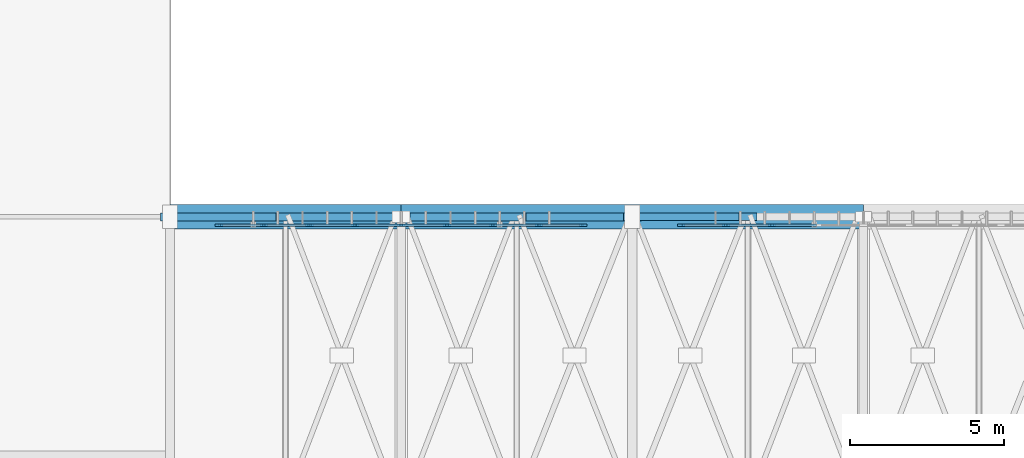
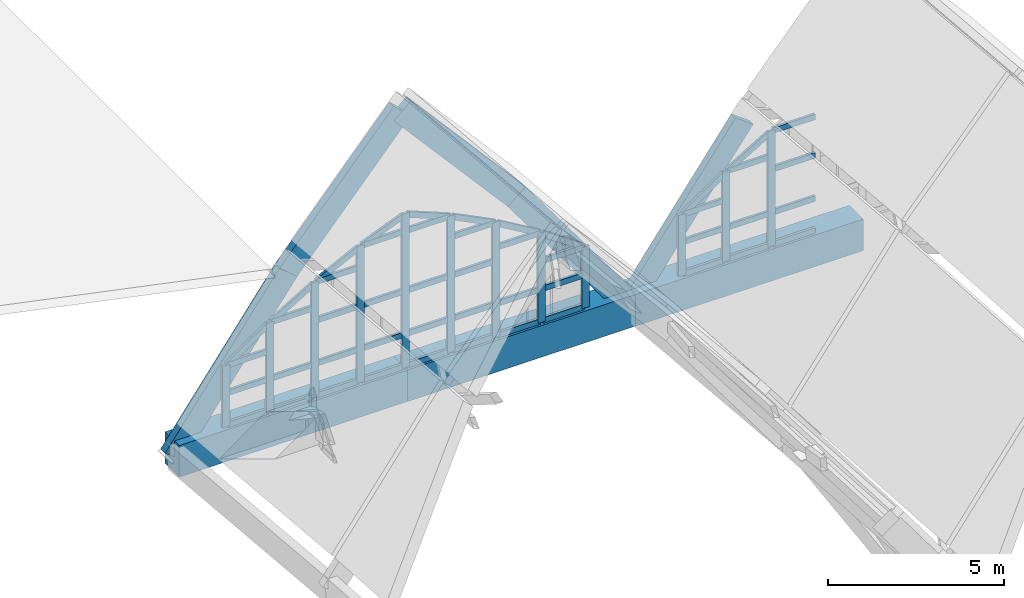
# One storey, part 42 of 93: 60 members, 8 beams, 2 elements without a shape of their own.
"""IFC4 building model written with IfcOpenShell, lengths in metres."""

from ifc_helpers import new_model, si_unit, direction, frame, origin, origin_2d, place, context, subcontext, project, spatial, rectangle, extrude, material, material_profile, profile_set, type_object, element, aggregate, save


model = new_model("IFC4")

# Units and contexts
model_context = context("Model", 3, precision=1e-05, world=origin(), true_north=direction((0.0, 1.0)))
body_context = subcontext(model_context, "Body", "Model", "MODEL_VIEW")
ifc_project = project(units=[si_unit("LENGTHUNIT", "METRE"), si_unit("AREAUNIT", "SQUARE_METRE"), si_unit("VOLUMEUNIT", "CUBIC_METRE"), si_unit("PLANEANGLEUNIT", "RADIAN"), si_unit("MASSUNIT", "GRAM", prefix="KILO")], contexts=[model_context])

# Site, building, storey
site_placement = place(None, origin())
site = spatial("IfcSite", under=ifc_project, at=site_placement, CompositionType="ELEMENT")
building_placement = place(site_placement, origin())
building = spatial("IfcBuilding", under=site, at=building_placement, Name="Vourika Railside Aquatics Centre", CompositionType="ELEMENT")
storey_placement = place(building_placement, frame((0.0, 0.0, 21.89990234375)))
storey = spatial("IfcBuildingStorey", under=building, at=storey_placement, Name="Roof", CompositionType="ELEMENT", Elevation=21.89990234375)

# Beams
ifc_material_1 = material(Name="Glulam GL32h", Category="wood")
ifc_material_profile_1 = material_profile(ifc_material_1, rectangle(XDim=0.239990234375, YDim=0.719970703125, at=origin_2d()), Name="GL32h 240x720")
ifc_profile_set_1 = profile_set([ifc_material_profile_1], Name="Glulam GL32h")
beam_type_1 = type_object("IfcBeamType", Name="BM-GL-ARCH-240x720", PredefinedType="BEAM", material=ifc_profile_set_1)
beam_1_placement = place(storey_placement, frame((51.0, 66.0, -11.699951171875), z_axis=(0.592383087934, 0.0, 0.805656426233), x_axis=(0.0, 1.0, 0.0)))
element("IfcBeam", 1, at=beam_1_placement, inside=storey, type_object=beam_type_1, Name="Pointed Glulam Vault Arch Rib GAR-0059", PredefinedType="BEAM", context=body_context, shape_type="SweptSolid", body=[
    extrude(rectangle(XDim=0.239990234375, YDim=0.719970703125, at=origin_2d()), origin(), (0.0, 0.0, 1.0), 6.330322265625),
])
ifc_material_profile_2 = material_profile(ifc_material_1, rectangle(XDim=0.260009765625, YDim=0.760009765625, at=origin_2d()), Name="GL32h 260x760")
ifc_profile_set_2 = profile_set([ifc_material_profile_2], Name="Glulam GL32h")
beam_type_2 = type_object("IfcBeamType", Name="BM-GL-ARCH-260x760", PredefinedType="BEAM", material=ifc_profile_set_2)
beam_2_placement = place(storey_placement, frame((36.0, 66.0, -11.699951171875), z_axis=(0.592383087934, 0.0, 0.805656426233), x_axis=(0.0, 1.0, 0.0)))
element("IfcBeam", 2, at=beam_2_placement, inside=storey, type_object=beam_type_2, Name="Pointed Glulam Vault Arch Rib GAR-0025", PredefinedType="BEAM", context=body_context, shape_type="SweptSolid", body=[
    extrude(rectangle(XDim=0.260009765625, YDim=0.760009765625, at=origin_2d()), origin(), (0.0, 0.0, 1.0), 6.330322265625),
])
for number, where, z_axis, x_axis, name in (
    (3, (39.75, 66.0, -6.599853515625), (0.657258623263, 0.0, 0.75366511273), (0.0, 1.0, 0.0), "Pointed Glulam Vault Arch Rib GAR-0026"),
    (4, (43.5, 66.0, -2.2998046875), (0.657258623263, 0.0, -0.75366511273), (0.0, 1.0, 0.0), "Pointed Glulam Vault Arch Rib GAR-0027"),
):
    element("IfcBeam", number, at=place(storey_placement, frame(where, z_axis=z_axis, x_axis=x_axis)), inside=storey, type_object=beam_type_2, Name=name, PredefinedType="BEAM", context=body_context, shape_type="SweptSolid", body=[
        extrude(rectangle(XDim=0.260009765625, YDim=0.760009765625, at=origin_2d()), origin(), (0.0, 0.0, 1.0), 5.70556640625),
    ])
beam_3_placement = place(storey_placement, frame((47.25, 66.0, -6.599853515625), z_axis=(0.592383087934, 0.0, -0.805656426233), x_axis=(0.0, 1.0, 0.0)))
element("IfcBeam", 5, at=beam_3_placement, inside=storey, type_object=beam_type_2, Name="Pointed Glulam Vault Arch Rib GAR-0028", PredefinedType="BEAM", context=body_context, shape_type="SweptSolid", body=[
    extrude(rectangle(XDim=0.260009765625, YDim=0.760009765625, at=origin_2d()), origin(), (0.0, 0.0, 1.0), 6.330322265625),
])
ifc_material_2 = material(Name="Concrete C40/50", Category="concrete")
ifc_material_profile_3 = material_profile(ifc_material_2, rectangle(XDim=0.800048828125, YDim=1.10009765625, at=origin_2d()), Name="RC 800x1100")
ifc_profile_set_3 = profile_set([ifc_material_profile_3], Name="Concrete C40/50")
beam_type_3 = type_object("IfcBeamType", Name="BM-RING-800x1100", PredefinedType="BEAM", material=ifc_profile_set_3)
for number, where, z_axis, x_axis, name in (
    (6, (36.0, 66.0, -11.699951171875), (1.0, 0.0, 0.0), (0.0, 1.0, 0.0), "Vault Springing Ring Beam N (36.0-43.5)"),
    (7, (43.5, 66.0, -11.699951171875), (1.0, 0.0, 0.0), (0.0, 1.0, 0.0), "Vault Springing Ring Beam N (43.5-51.0)"),
    (8, (51.0, 66.0, -11.699951171875), (1.0, 0.0, 0.0), (0.0, 1.0, 0.0), "Vault Springing Ring Beam N (51.0-58.5)"),
):
    element("IfcBeam", number, at=place(storey_placement, frame(where, z_axis=z_axis, x_axis=x_axis)), inside=storey, type_object=beam_type_3, Name=name, PredefinedType="BEAM", context=body_context, shape_type="SweptSolid", body=[
        extrude(rectangle(XDim=0.800048828125, YDim=1.10009765625, at=origin_2d()), origin(), (0.0, 0.0, 1.0), 7.5),
    ])

# Curtain wall, members
ifc_material_3 = material(Name="Anodized thermally broken aluminium", Category="aluminium")
curtain_wall_type = type_object("IfcCurtainWallType", Name="CW-VLTN1", PredefinedType="NOTDEFINED", material=ifc_material_3)
curtain_wall_1_placement = place(storey_placement, origin())
curtain_wall_1 = element("IfcCurtainWall", 9, at=curtain_wall_1_placement, inside=storey, type_object=curtain_wall_type, Name="North Courtyard Pointed-Arch Curtain Wall Bay 1", PredefinedType="NOTDEFINED")
ifc_material_4 = material(Name="Anodized aluminium mullion", Category="aluminium")
ifc_material_profile_4 = material_profile(ifc_material_4, rectangle(XDim=0.0849609375, YDim=0.25, at=origin_2d()), Name="ALU-M 85x250")
ifc_profile_set_4 = profile_set([ifc_material_profile_4], Name="Anodized aluminium mullion")
member_type_1 = type_object("IfcMemberType", Name="CWM-VLTN1", PredefinedType="MULLION", material=ifc_profile_set_4)
member_1_placement = place(storey_placement, frame((49.407470703125, 65.719970703125, -11.099853515625), z_axis=(0.0, 0.0, 1.0), x_axis=(0.0, -1.0, 0.0)))
member_1 = element("IfcMember", 10, at=member_1_placement, type_object=member_type_1, Name="CW01 arch mullion 1", PredefinedType="MULLION", context=body_context, shape_type="SweptSolid", body=[
    extrude(rectangle(XDim=0.0849609375, YDim=0.25, at=origin_2d()), origin(), (0.0, 0.0, 1.0), 2.130859375),
])
member_2_placement = place(storey_placement, frame((47.96240234375, 65.719970703125, -11.099853515625), z_axis=(0.0, 0.0, 1.0), x_axis=(0.0, -1.0, 0.0)))
member_2 = element("IfcMember", 11, at=member_2_placement, type_object=member_type_1, Name="CW01 arch mullion 2", PredefinedType="MULLION", context=body_context, shape_type="SweptSolid", body=[
    extrude(rectangle(XDim=0.0849609375, YDim=0.25, at=origin_2d()), origin(), (0.0, 0.0, 1.0), 3.1259765625),
])
member_3_placement = place(storey_placement, frame((46.47509765625, 65.719970703125, -11.099853515625), z_axis=(0.0, 0.0, 1.0), x_axis=(0.0, -1.0, 0.0)))
member_3 = element("IfcMember", 12, at=member_3_placement, type_object=member_type_1, Name="CW01 arch mullion 3", PredefinedType="MULLION", context=body_context, shape_type="SweptSolid", body=[
    extrude(rectangle(XDim=0.0849609375, YDim=0.25, at=origin_2d()), origin(), (0.0, 0.0, 1.0), 4.009033203125),
])
member_4_placement = place(storey_placement, frame((44.987548828125, 65.719970703125, -11.099853515625), z_axis=(0.0, 0.0, 1.0), x_axis=(0.0, -1.0, 0.0)))
member_4 = element("IfcMember", 13, at=member_4_placement, type_object=member_type_1, Name="CW01 arch mullion 4", PredefinedType="MULLION", context=body_context, shape_type="SweptSolid", body=[
    extrude(rectangle(XDim=0.0849609375, YDim=0.25, at=origin_2d()), origin(), (0.0, 0.0, 1.0), 4.7509765625),
])
member_5_placement = place(storey_placement, frame((43.5, 65.719970703125, -11.099853515625), z_axis=(0.0, 0.0, 1.0), x_axis=(0.0, -1.0, 0.0)))
member_5 = element("IfcMember", 14, at=member_5_placement, type_object=member_type_1, Name="CW01 arch mullion 5", PredefinedType="MULLION", context=body_context, shape_type="SweptSolid", body=[
    extrude(rectangle(XDim=0.0849609375, YDim=0.25, at=origin_2d()), origin(), (0.0, 0.0, 1.0), 5.349853515625),
])
member_6_placement = place(storey_placement, frame((42.012451171875, 65.719970703125, -11.099853515625), z_axis=(0.0, 0.0, 1.0), x_axis=(0.0, -1.0, 0.0)))
member_6 = element("IfcMember", 15, at=member_6_placement, type_object=member_type_1, Name="CW01 arch mullion 6", PredefinedType="MULLION", context=body_context, shape_type="SweptSolid", body=[
    extrude(rectangle(XDim=0.0849609375, YDim=0.25, at=origin_2d()), origin(), (0.0, 0.0, 1.0), 4.7509765625),
])
member_7_placement = place(storey_placement, frame((40.52490234375, 65.719970703125, -11.099853515625), z_axis=(0.0, 0.0, 1.0), x_axis=(0.0, -1.0, 0.0)))
member_7 = element("IfcMember", 16, at=member_7_placement, type_object=member_type_1, Name="CW01 arch mullion 7", PredefinedType="MULLION", context=body_context, shape_type="SweptSolid", body=[
    extrude(rectangle(XDim=0.0849609375, YDim=0.25, at=origin_2d()), origin(), (0.0, 0.0, 1.0), 4.009033203125),
])
member_8_placement = place(storey_placement, frame((39.03759765625, 65.719970703125, -11.099853515625), z_axis=(0.0, 0.0, 1.0), x_axis=(0.0, -1.0, 0.0)))
member_8 = element("IfcMember", 17, at=member_8_placement, type_object=member_type_1, Name="CW01 arch mullion 8", PredefinedType="MULLION", context=body_context, shape_type="SweptSolid", body=[
    extrude(rectangle(XDim=0.0849609375, YDim=0.25, at=origin_2d()), origin(), (0.0, 0.0, 1.0), 3.1259765625),
])
member_9_placement = place(storey_placement, frame((37.592529296875, 65.719970703125, -11.099853515625), z_axis=(0.0, 0.0, 1.0), x_axis=(0.0, -1.0, 0.0)))
member_9 = element("IfcMember", 18, at=member_9_placement, type_object=member_type_1, Name="CW01 arch mullion 9", PredefinedType="MULLION", context=body_context, shape_type="SweptSolid", body=[
    extrude(rectangle(XDim=0.0849609375, YDim=0.25, at=origin_2d()), origin(), (0.0, 0.0, 1.0), 2.130859375),
])

curtain_wall_2_placement = place(storey_placement, origin())
curtain_wall_2 = element("IfcCurtainWall", 19, at=curtain_wall_2_placement, inside=storey, type_object=curtain_wall_type, Name="North Courtyard Pointed-Arch Curtain Wall Bay 2", PredefinedType="NOTDEFINED")
member_10_placement = place(storey_placement, frame((55.52490234375, 65.719970703125, -11.099853515625), z_axis=(0.0, 0.0, 1.0), x_axis=(0.0, -1.0, 0.0)))
member_10 = element("IfcMember", 20, at=member_10_placement, type_object=member_type_1, Name="CW01 arch mullion 7", PredefinedType="MULLION", context=body_context, shape_type="SweptSolid", body=[
    extrude(rectangle(XDim=0.0849609375, YDim=0.25, at=origin_2d()), origin(), (0.0, 0.0, 1.0), 4.009033203125),
])
member_11_placement = place(storey_placement, frame((54.03759765625, 65.719970703125, -11.099853515625), z_axis=(0.0, 0.0, 1.0), x_axis=(0.0, -1.0, 0.0)))
member_11 = element("IfcMember", 21, at=member_11_placement, type_object=member_type_1, Name="CW01 arch mullion 8", PredefinedType="MULLION", context=body_context, shape_type="SweptSolid", body=[
    extrude(rectangle(XDim=0.0849609375, YDim=0.25, at=origin_2d()), origin(), (0.0, 0.0, 1.0), 3.1259765625),
])
member_12_placement = place(storey_placement, frame((52.592529296875, 65.719970703125, -11.099853515625), z_axis=(0.0, 0.0, 1.0), x_axis=(0.0, -1.0, 0.0)))
member_12 = element("IfcMember", 22, at=member_12_placement, type_object=member_type_1, Name="CW01 arch mullion 9", PredefinedType="MULLION", context=body_context, shape_type="SweptSolid", body=[
    extrude(rectangle(XDim=0.0849609375, YDim=0.25, at=origin_2d()), origin(), (0.0, 0.0, 1.0), 2.130859375),
])

# Member
ifc_material_5 = material(Name="Anodized aluminium transom", Category="aluminium")
ifc_material_profile_5 = material_profile(ifc_material_5, rectangle(XDim=0.0849609375, YDim=0.195068359375, at=origin_2d()), Name="ALU-T 85x195")
ifc_profile_set_5 = profile_set([ifc_material_profile_5], Name="Anodized aluminium transom")
member_type_2 = type_object("IfcMemberType", Name="CWT-VLTN1", PredefinedType="USERDEFINED", material=ifc_profile_set_5)
member_13_placement = place(storey_placement, frame((49.364990234375, 65.719970703125, -11.057373046875), z_axis=(-1.0, 0.0, 0.0), x_axis=(0.0, -1.0, 0.0)))
member_13 = element("IfcMember", 23, at=member_13_placement, type_object=member_type_2, Name="CW01 transom 1.1", ObjectType="TRANSOM", PredefinedType="USERDEFINED", context=body_context, shape_type="SweptSolid", body=[
    extrude(rectangle(XDim=0.0849609375, YDim=0.195068359375, at=origin_2d()), origin(), (0.0, 0.0, 1.0), 1.360107421875),
])

member_14_placement = place(storey_placement, frame((49.364990234375, 65.719970703125, -9.949951171875), z_axis=(-1.0, 0.0, 0.0), x_axis=(0.0, -1.0, 0.0)))
member_14 = element("IfcMember", 24, at=member_14_placement, type_object=member_type_2, Name="CW01 transom 1.2", ObjectType="TRANSOM", PredefinedType="USERDEFINED", context=body_context, shape_type="SweptSolid", body=[
    extrude(rectangle(XDim=0.0849609375, YDim=0.195068359375, at=origin_2d()), origin(), (0.0, 0.0, 1.0), 1.360107421875),
])

member_15_placement = place(storey_placement, frame((49.364990234375, 65.719970703125, -8.98046875), z_axis=(-1.0, 0.0, 0.0), x_axis=(0.0, -1.0, 0.0)))
member_15 = element("IfcMember", 25, at=member_15_placement, type_object=member_type_2, Name="CW01 transom 1.3", ObjectType="TRANSOM", PredefinedType="USERDEFINED", context=body_context, shape_type="SweptSolid", body=[
    extrude(rectangle(XDim=0.0849609375, YDim=0.195068359375, at=origin_2d()), origin(), (0.0, 0.0, 1.0), 1.360107421875),
])

member_16_placement = place(storey_placement, frame((49.364990234375, 65.719970703125, -8.98046875), z_axis=(-0.823770019809, 0.0, 0.566924117025), x_axis=(0.0, -1.0, 0.0)))
member_16 = element("IfcMember", 26, at=member_16_placement, type_object=member_type_2, Name="CW01 arch chord transom 1", ObjectType="TRANSOM", PredefinedType="USERDEFINED", context=body_context, shape_type="SweptSolid", body=[
    extrude(rectangle(XDim=0.0849609375, YDim=0.195068359375, at=origin_2d()), origin(), (0.0, 0.0, 1.0), 1.651123046875),
])

member_17_placement = place(storey_placement, frame((47.919921875, 65.719970703125, -11.057373046875), z_axis=(-1.0, 0.0, 0.0), x_axis=(0.0, -1.0, 0.0)))
member_17 = element("IfcMember", 27, at=member_17_placement, type_object=member_type_2, Name="CW01 transom 2.1", ObjectType="TRANSOM", PredefinedType="USERDEFINED", context=body_context, shape_type="SweptSolid", body=[
    extrude(rectangle(XDim=0.0849609375, YDim=0.195068359375, at=origin_2d()), origin(), (0.0, 0.0, 1.0), 1.40234375),
])

member_18_placement = place(storey_placement, frame((47.919921875, 65.719970703125, -9.949951171875), z_axis=(-1.0, 0.0, 0.0), x_axis=(0.0, -1.0, 0.0)))
member_18 = element("IfcMember", 28, at=member_18_placement, type_object=member_type_2, Name="CW01 transom 2.2", ObjectType="TRANSOM", PredefinedType="USERDEFINED", context=body_context, shape_type="SweptSolid", body=[
    extrude(rectangle(XDim=0.0849609375, YDim=0.195068359375, at=origin_2d()), origin(), (0.0, 0.0, 1.0), 1.40234375),
])

member_19_placement = place(storey_placement, frame((47.919921875, 65.719970703125, -7.989501953125), z_axis=(-1.0, 0.0, 0.0), x_axis=(0.0, -1.0, 0.0)))
member_19 = element("IfcMember", 29, at=member_19_placement, type_object=member_type_2, Name="CW01 transom 2.3", ObjectType="TRANSOM", PredefinedType="USERDEFINED", context=body_context, shape_type="SweptSolid", body=[
    extrude(rectangle(XDim=0.0849609375, YDim=0.195068359375, at=origin_2d()), origin(), (0.0, 0.0, 1.0), 1.40234375),
])

member_20_placement = place(storey_placement, frame((47.919921875, 65.719970703125, -7.989501953125), z_axis=(-0.859756166629, 0.0, 0.510704742433), x_axis=(0.0, -1.0, 0.0)))
member_20 = element("IfcMember", 30, at=member_20_placement, type_object=member_type_2, Name="CW01 arch chord transom 2", ObjectType="TRANSOM", PredefinedType="USERDEFINED", context=body_context, shape_type="SweptSolid", body=[
    extrude(rectangle(XDim=0.0849609375, YDim=0.195068359375, at=origin_2d()), origin(), (0.0, 0.0, 1.0), 1.631103515625),
])

member_21_placement = place(storey_placement, frame((46.4326171875, 65.719970703125, -11.057373046875), z_axis=(-1.0, 0.0, 0.0), x_axis=(0.0, -1.0, 0.0)))
member_21 = element("IfcMember", 31, at=member_21_placement, type_object=member_type_2, Name="CW01 transom 3.1", ObjectType="TRANSOM", PredefinedType="USERDEFINED", context=body_context, shape_type="SweptSolid", body=[
    extrude(rectangle(XDim=0.0849609375, YDim=0.195068359375, at=origin_2d()), origin(), (0.0, 0.0, 1.0), 1.402587890625),
])

member_22_placement = place(storey_placement, frame((46.4326171875, 65.719970703125, -9.949951171875), z_axis=(-1.0, 0.0, 0.0), x_axis=(0.0, -1.0, 0.0)))
member_22 = element("IfcMember", 32, at=member_22_placement, type_object=member_type_2, Name="CW01 transom 3.2", ObjectType="TRANSOM", PredefinedType="USERDEFINED", context=body_context, shape_type="SweptSolid", body=[
    extrude(rectangle(XDim=0.0849609375, YDim=0.195068359375, at=origin_2d()), origin(), (0.0, 0.0, 1.0), 1.402587890625),
])

member_23_placement = place(storey_placement, frame((46.4326171875, 65.719970703125, -8.449951171875), z_axis=(-1.0, 0.0, 0.0), x_axis=(0.0, -1.0, 0.0)))
member_23 = element("IfcMember", 33, at=member_23_placement, type_object=member_type_2, Name="CW01 transom 3.3", ObjectType="TRANSOM", PredefinedType="USERDEFINED", context=body_context, shape_type="SweptSolid", body=[
    extrude(rectangle(XDim=0.0849609375, YDim=0.195068359375, at=origin_2d()), origin(), (0.0, 0.0, 1.0), 1.402587890625),
])

member_24_placement = place(storey_placement, frame((46.4326171875, 65.719970703125, -7.109375), z_axis=(-1.0, 0.0, 0.0), x_axis=(0.0, -1.0, 0.0)))
member_24 = element("IfcMember", 34, at=member_24_placement, type_object=member_type_2, Name="CW01 transom 3.4", ObjectType="TRANSOM", PredefinedType="USERDEFINED", context=body_context, shape_type="SweptSolid", body=[
    extrude(rectangle(XDim=0.0849609375, YDim=0.195068359375, at=origin_2d()), origin(), (0.0, 0.0, 1.0), 1.402587890625),
])

member_25_placement = place(storey_placement, frame((46.4326171875, 65.719970703125, -7.109375), z_axis=(-0.895018412541, 0.0, 0.44602919323), x_axis=(0.0, -1.0, 0.0)))
member_25 = element("IfcMember", 35, at=member_25_placement, type_object=member_type_2, Name="CW01 arch chord transom 3", ObjectType="TRANSOM", PredefinedType="USERDEFINED", context=body_context, shape_type="SweptSolid", body=[
    extrude(rectangle(XDim=0.0849609375, YDim=0.195068359375, at=origin_2d()), origin(), (0.0, 0.0, 1.0), 1.567138671875),
])

member_26_placement = place(storey_placement, frame((44.945068359375, 65.719970703125, -11.057373046875), z_axis=(-1.0, 0.0, 0.0), x_axis=(0.0, -1.0, 0.0)))
member_26 = element("IfcMember", 36, at=member_26_placement, type_object=member_type_2, Name="CW01 transom 4.1", ObjectType="TRANSOM", PredefinedType="USERDEFINED", context=body_context, shape_type="SweptSolid", body=[
    extrude(rectangle(XDim=0.0849609375, YDim=0.195068359375, at=origin_2d()), origin(), (0.0, 0.0, 1.0), 1.402587890625),
])

member_27_placement = place(storey_placement, frame((44.945068359375, 65.719970703125, -9.949951171875), z_axis=(-1.0, 0.0, 0.0), x_axis=(0.0, -1.0, 0.0)))
member_27 = element("IfcMember", 37, at=member_27_placement, type_object=member_type_2, Name="CW01 transom 4.2", ObjectType="TRANSOM", PredefinedType="USERDEFINED", context=body_context, shape_type="SweptSolid", body=[
    extrude(rectangle(XDim=0.0849609375, YDim=0.195068359375, at=origin_2d()), origin(), (0.0, 0.0, 1.0), 1.402587890625),
])

member_28_placement = place(storey_placement, frame((44.945068359375, 65.719970703125, -8.449951171875), z_axis=(-1.0, 0.0, 0.0), x_axis=(0.0, -1.0, 0.0)))
member_28 = element("IfcMember", 38, at=member_28_placement, type_object=member_type_2, Name="CW01 transom 4.3", ObjectType="TRANSOM", PredefinedType="USERDEFINED", context=body_context, shape_type="SweptSolid", body=[
    extrude(rectangle(XDim=0.0849609375, YDim=0.195068359375, at=origin_2d()), origin(), (0.0, 0.0, 1.0), 1.402587890625),
])

member_29_placement = place(storey_placement, frame((44.945068359375, 65.719970703125, -6.372314453125), z_axis=(-1.0, 0.0, 0.0), x_axis=(0.0, -1.0, 0.0)))
member_29 = element("IfcMember", 39, at=member_29_placement, type_object=member_type_2, Name="CW01 transom 4.4", ObjectType="TRANSOM", PredefinedType="USERDEFINED", context=body_context, shape_type="SweptSolid", body=[
    extrude(rectangle(XDim=0.0849609375, YDim=0.195068359375, at=origin_2d()), origin(), (0.0, 0.0, 1.0), 1.402587890625),
])

member_30_placement = place(storey_placement, frame((44.945068359375, 65.719970703125, -6.372314453125), z_axis=(-0.927583210555, 0.0, 0.373616631719), x_axis=(0.0, -1.0, 0.0)))
member_30 = element("IfcMember", 40, at=member_30_placement, type_object=member_type_2, Name="CW01 arch chord transom 4", ObjectType="TRANSOM", PredefinedType="USERDEFINED", context=body_context, shape_type="SweptSolid", body=[
    extrude(rectangle(XDim=0.0849609375, YDim=0.195068359375, at=origin_2d()), origin(), (0.0, 0.0, 1.0), 1.51220703125),
])

member_31_placement = place(storey_placement, frame((43.45751953125, 65.719970703125, -11.057373046875), z_axis=(-1.0, 0.0, 0.0), x_axis=(0.0, -1.0, 0.0)))
member_31 = element("IfcMember", 41, at=member_31_placement, type_object=member_type_2, Name="CW01 transom 5.1", ObjectType="TRANSOM", PredefinedType="USERDEFINED", context=body_context, shape_type="SweptSolid", body=[
    extrude(rectangle(XDim=0.0849609375, YDim=0.195068359375, at=origin_2d()), origin(), (0.0, 0.0, 1.0), 1.402587890625),
])

member_32_placement = place(storey_placement, frame((43.45751953125, 65.719970703125, -9.949951171875), z_axis=(-1.0, 0.0, 0.0), x_axis=(0.0, -1.0, 0.0)))
member_32 = element("IfcMember", 42, at=member_32_placement, type_object=member_type_2, Name="CW01 transom 5.2", ObjectType="TRANSOM", PredefinedType="USERDEFINED", context=body_context, shape_type="SweptSolid", body=[
    extrude(rectangle(XDim=0.0849609375, YDim=0.195068359375, at=origin_2d()), origin(), (0.0, 0.0, 1.0), 1.402587890625),
])

member_33_placement = place(storey_placement, frame((43.45751953125, 65.719970703125, -8.449951171875), z_axis=(-1.0, 0.0, 0.0), x_axis=(0.0, -1.0, 0.0)))
member_33 = element("IfcMember", 43, at=member_33_placement, type_object=member_type_2, Name="CW01 transom 5.3", ObjectType="TRANSOM", PredefinedType="USERDEFINED", context=body_context, shape_type="SweptSolid", body=[
    extrude(rectangle(XDim=0.0849609375, YDim=0.195068359375, at=origin_2d()), origin(), (0.0, 0.0, 1.0), 1.402587890625),
])

member_34_placement = place(storey_placement, frame((43.45751953125, 65.719970703125, -6.372314453125), z_axis=(-1.0, 0.0, 0.0), x_axis=(0.0, -1.0, 0.0)))
member_34 = element("IfcMember", 44, at=member_34_placement, type_object=member_type_2, Name="CW01 transom 5.4", ObjectType="TRANSOM", PredefinedType="USERDEFINED", context=body_context, shape_type="SweptSolid", body=[
    extrude(rectangle(XDim=0.0849609375, YDim=0.195068359375, at=origin_2d()), origin(), (0.0, 0.0, 1.0), 1.402587890625),
])

member_35_placement = place(storey_placement, frame((43.45751953125, 65.719970703125, -5.807373046875), z_axis=(-0.927583210555, 0.0, -0.373616631719), x_axis=(0.0, -1.0, 0.0)))
member_35 = element("IfcMember", 45, at=member_35_placement, type_object=member_type_2, Name="CW01 arch chord transom 5", ObjectType="TRANSOM", PredefinedType="USERDEFINED", context=body_context, shape_type="SweptSolid", body=[
    extrude(rectangle(XDim=0.0849609375, YDim=0.195068359375, at=origin_2d()), origin(), (0.0, 0.0, 1.0), 1.51220703125),
])

member_36_placement = place(storey_placement, frame((41.969970703125, 65.719970703125, -11.057373046875), z_axis=(-1.0, 0.0, 0.0), x_axis=(0.0, -1.0, 0.0)))
member_36 = element("IfcMember", 46, at=member_36_placement, type_object=member_type_2, Name="CW01 transom 6.1", ObjectType="TRANSOM", PredefinedType="USERDEFINED", context=body_context, shape_type="SweptSolid", body=[
    extrude(rectangle(XDim=0.0849609375, YDim=0.195068359375, at=origin_2d()), origin(), (0.0, 0.0, 1.0), 1.402587890625),
])

member_37_placement = place(storey_placement, frame((41.969970703125, 65.719970703125, -9.949951171875), z_axis=(-1.0, 0.0, 0.0), x_axis=(0.0, -1.0, 0.0)))
member_37 = element("IfcMember", 47, at=member_37_placement, type_object=member_type_2, Name="CW01 transom 6.2", ObjectType="TRANSOM", PredefinedType="USERDEFINED", context=body_context, shape_type="SweptSolid", body=[
    extrude(rectangle(XDim=0.0849609375, YDim=0.195068359375, at=origin_2d()), origin(), (0.0, 0.0, 1.0), 1.402587890625),
])

member_38_placement = place(storey_placement, frame((41.969970703125, 65.719970703125, -8.449951171875), z_axis=(-1.0, 0.0, 0.0), x_axis=(0.0, -1.0, 0.0)))
member_38 = element("IfcMember", 48, at=member_38_placement, type_object=member_type_2, Name="CW01 transom 6.3", ObjectType="TRANSOM", PredefinedType="USERDEFINED", context=body_context, shape_type="SweptSolid", body=[
    extrude(rectangle(XDim=0.0849609375, YDim=0.195068359375, at=origin_2d()), origin(), (0.0, 0.0, 1.0), 1.402587890625),
])

member_39_placement = place(storey_placement, frame((41.969970703125, 65.719970703125, -7.109375), z_axis=(-1.0, 0.0, 0.0), x_axis=(0.0, -1.0, 0.0)))
member_39 = element("IfcMember", 49, at=member_39_placement, type_object=member_type_2, Name="CW01 transom 6.4", ObjectType="TRANSOM", PredefinedType="USERDEFINED", context=body_context, shape_type="SweptSolid", body=[
    extrude(rectangle(XDim=0.0849609375, YDim=0.195068359375, at=origin_2d()), origin(), (0.0, 0.0, 1.0), 1.402587890625),
])

member_40_placement = place(storey_placement, frame((41.969970703125, 65.719970703125, -6.410400390625), z_axis=(-0.895018412541, 0.0, -0.44602919323), x_axis=(0.0, -1.0, 0.0)))
member_40 = element("IfcMember", 50, at=member_40_placement, type_object=member_type_2, Name="CW01 arch chord transom 6", ObjectType="TRANSOM", PredefinedType="USERDEFINED", context=body_context, shape_type="SweptSolid", body=[
    extrude(rectangle(XDim=0.0849609375, YDim=0.195068359375, at=origin_2d()), origin(), (0.0, 0.0, 1.0), 1.567138671875),
])

member_41_placement = place(storey_placement, frame((40.482421875, 65.719970703125, -11.057373046875), z_axis=(-1.0, 0.0, 0.0), x_axis=(0.0, -1.0, 0.0)))
member_41 = element("IfcMember", 51, at=member_41_placement, type_object=member_type_2, Name="CW01 transom 7.1", ObjectType="TRANSOM", PredefinedType="USERDEFINED", context=body_context, shape_type="SweptSolid", body=[
    extrude(rectangle(XDim=0.0849609375, YDim=0.195068359375, at=origin_2d()), origin(), (0.0, 0.0, 1.0), 1.40234375),
])

member_42_placement = place(storey_placement, frame((40.482421875, 65.719970703125, -9.949951171875), z_axis=(-1.0, 0.0, 0.0), x_axis=(0.0, -1.0, 0.0)))
member_42 = element("IfcMember", 52, at=member_42_placement, type_object=member_type_2, Name="CW01 transom 7.2", ObjectType="TRANSOM", PredefinedType="USERDEFINED", context=body_context, shape_type="SweptSolid", body=[
    extrude(rectangle(XDim=0.0849609375, YDim=0.195068359375, at=origin_2d()), origin(), (0.0, 0.0, 1.0), 1.40234375),
])

member_43_placement = place(storey_placement, frame((40.482421875, 65.719970703125, -7.989501953125), z_axis=(-1.0, 0.0, 0.0), x_axis=(0.0, -1.0, 0.0)))
member_43 = element("IfcMember", 53, at=member_43_placement, type_object=member_type_2, Name="CW01 transom 7.3", ObjectType="TRANSOM", PredefinedType="USERDEFINED", context=body_context, shape_type="SweptSolid", body=[
    extrude(rectangle(XDim=0.0849609375, YDim=0.195068359375, at=origin_2d()), origin(), (0.0, 0.0, 1.0), 1.40234375),
])

member_44_placement = place(storey_placement, frame((40.482421875, 65.719970703125, -7.156494140625), z_axis=(-0.859756166629, 0.0, -0.510704742433), x_axis=(0.0, -1.0, 0.0)))
member_44 = element("IfcMember", 54, at=member_44_placement, type_object=member_type_2, Name="CW01 arch chord transom 7", ObjectType="TRANSOM", PredefinedType="USERDEFINED", context=body_context, shape_type="SweptSolid", body=[
    extrude(rectangle(XDim=0.0849609375, YDim=0.195068359375, at=origin_2d()), origin(), (0.0, 0.0, 1.0), 1.631103515625),
])

member_45_placement = place(storey_placement, frame((38.9951171875, 65.719970703125, -11.057373046875), z_axis=(-1.0, 0.0, 0.0), x_axis=(0.0, -1.0, 0.0)))
member_45 = element("IfcMember", 55, at=member_45_placement, type_object=member_type_2, Name="CW01 transom 8.1", ObjectType="TRANSOM", PredefinedType="USERDEFINED", context=body_context, shape_type="SweptSolid", body=[
    extrude(rectangle(XDim=0.0849609375, YDim=0.195068359375, at=origin_2d()), origin(), (0.0, 0.0, 1.0), 1.360107421875),
])

member_46_placement = place(storey_placement, frame((38.9951171875, 65.719970703125, -9.949951171875), z_axis=(-1.0, 0.0, 0.0), x_axis=(0.0, -1.0, 0.0)))
member_46 = element("IfcMember", 56, at=member_46_placement, type_object=member_type_2, Name="CW01 transom 8.2", ObjectType="TRANSOM", PredefinedType="USERDEFINED", context=body_context, shape_type="SweptSolid", body=[
    extrude(rectangle(XDim=0.0849609375, YDim=0.195068359375, at=origin_2d()), origin(), (0.0, 0.0, 1.0), 1.360107421875),
])

member_47_placement = place(storey_placement, frame((38.9951171875, 65.719970703125, -8.98046875), z_axis=(-1.0, 0.0, 0.0), x_axis=(0.0, -1.0, 0.0)))
member_47 = element("IfcMember", 57, at=member_47_placement, type_object=member_type_2, Name="CW01 transom 8.3", ObjectType="TRANSOM", PredefinedType="USERDEFINED", context=body_context, shape_type="SweptSolid", body=[
    extrude(rectangle(XDim=0.0849609375, YDim=0.195068359375, at=origin_2d()), origin(), (0.0, 0.0, 1.0), 1.360107421875),
])

member_48_placement = place(storey_placement, frame((38.9951171875, 65.719970703125, -8.04443359375), z_axis=(-0.823770019809, 0.0, -0.566924117025), x_axis=(0.0, -1.0, 0.0)))
member_48 = element("IfcMember", 58, at=member_48_placement, type_object=member_type_2, Name="CW01 arch chord transom 8", ObjectType="TRANSOM", PredefinedType="USERDEFINED", context=body_context, shape_type="SweptSolid", body=[
    extrude(rectangle(XDim=0.0849609375, YDim=0.195068359375, at=origin_2d()), origin(), (0.0, 0.0, 1.0), 1.651123046875),
])

aggregate(curtain_wall_1, [member_1, member_2, member_3, member_4, member_5, member_6, member_7, member_8, member_9, member_13, member_14, member_15, member_16, member_17, member_18, member_19, member_20, member_21, member_22, member_23, member_24, member_25, member_26, member_27, member_28, member_29, member_30, member_31, member_32, member_33, member_34, member_35, member_36, member_37, member_38, member_39, member_40, member_41, member_42, member_43, member_44, member_45, member_46, member_47, member_48])

member_49_placement = place(storey_placement, frame((56.969970703125, 65.719970703125, -11.057373046875), z_axis=(-1.0, 0.0, 0.0), x_axis=(0.0, -1.0, 0.0)))
member_49 = element("IfcMember", 59, at=member_49_placement, type_object=member_type_2, Name="CW01 transom 6.1", ObjectType="TRANSOM", PredefinedType="USERDEFINED", context=body_context, shape_type="SweptSolid", body=[
    extrude(rectangle(XDim=0.0849609375, YDim=0.195068359375, at=origin_2d()), origin(), (0.0, 0.0, 1.0), 1.402587890625),
])

member_50_placement = place(storey_placement, frame((56.969970703125, 65.719970703125, -9.949951171875), z_axis=(-1.0, 0.0, 0.0), x_axis=(0.0, -1.0, 0.0)))
member_50 = element("IfcMember", 60, at=member_50_placement, type_object=member_type_2, Name="CW01 transom 6.2", ObjectType="TRANSOM", PredefinedType="USERDEFINED", context=body_context, shape_type="SweptSolid", body=[
    extrude(rectangle(XDim=0.0849609375, YDim=0.195068359375, at=origin_2d()), origin(), (0.0, 0.0, 1.0), 1.402587890625),
])

member_51_placement = place(storey_placement, frame((56.969970703125, 65.719970703125, -8.449951171875), z_axis=(-1.0, 0.0, 0.0), x_axis=(0.0, -1.0, 0.0)))
member_51 = element("IfcMember", 61, at=member_51_placement, type_object=member_type_2, Name="CW01 transom 6.3", ObjectType="TRANSOM", PredefinedType="USERDEFINED", context=body_context, shape_type="SweptSolid", body=[
    extrude(rectangle(XDim=0.0849609375, YDim=0.195068359375, at=origin_2d()), origin(), (0.0, 0.0, 1.0), 1.402587890625),
])

member_52_placement = place(storey_placement, frame((56.969970703125, 65.719970703125, -7.109375), z_axis=(-1.0, 0.0, 0.0), x_axis=(0.0, -1.0, 0.0)))
member_52 = element("IfcMember", 62, at=member_52_placement, type_object=member_type_2, Name="CW01 transom 6.4", ObjectType="TRANSOM", PredefinedType="USERDEFINED", context=body_context, shape_type="SweptSolid", body=[
    extrude(rectangle(XDim=0.0849609375, YDim=0.195068359375, at=origin_2d()), origin(), (0.0, 0.0, 1.0), 1.402587890625),
])

member_53_placement = place(storey_placement, frame((55.482421875, 65.719970703125, -11.057373046875), z_axis=(-1.0, 0.0, 0.0), x_axis=(0.0, -1.0, 0.0)))
member_53 = element("IfcMember", 63, at=member_53_placement, type_object=member_type_2, Name="CW01 transom 7.1", ObjectType="TRANSOM", PredefinedType="USERDEFINED", context=body_context, shape_type="SweptSolid", body=[
    extrude(rectangle(XDim=0.0849609375, YDim=0.195068359375, at=origin_2d()), origin(), (0.0, 0.0, 1.0), 1.40234375),
])

member_54_placement = place(storey_placement, frame((55.482421875, 65.719970703125, -9.949951171875), z_axis=(-1.0, 0.0, 0.0), x_axis=(0.0, -1.0, 0.0)))
member_54 = element("IfcMember", 64, at=member_54_placement, type_object=member_type_2, Name="CW01 transom 7.2", ObjectType="TRANSOM", PredefinedType="USERDEFINED", context=body_context, shape_type="SweptSolid", body=[
    extrude(rectangle(XDim=0.0849609375, YDim=0.195068359375, at=origin_2d()), origin(), (0.0, 0.0, 1.0), 1.40234375),
])

member_55_placement = place(storey_placement, frame((55.482421875, 65.719970703125, -7.989501953125), z_axis=(-1.0, 0.0, 0.0), x_axis=(0.0, -1.0, 0.0)))
member_55 = element("IfcMember", 65, at=member_55_placement, type_object=member_type_2, Name="CW01 transom 7.3", ObjectType="TRANSOM", PredefinedType="USERDEFINED", context=body_context, shape_type="SweptSolid", body=[
    extrude(rectangle(XDim=0.0849609375, YDim=0.195068359375, at=origin_2d()), origin(), (0.0, 0.0, 1.0), 1.40234375),
])

member_56_placement = place(storey_placement, frame((55.482421875, 65.719970703125, -7.156494140625), z_axis=(-0.859756166629, 0.0, -0.510704742433), x_axis=(0.0, -1.0, 0.0)))
member_56 = element("IfcMember", 66, at=member_56_placement, type_object=member_type_2, Name="CW01 arch chord transom 7", ObjectType="TRANSOM", PredefinedType="USERDEFINED", context=body_context, shape_type="SweptSolid", body=[
    extrude(rectangle(XDim=0.0849609375, YDim=0.195068359375, at=origin_2d()), origin(), (0.0, 0.0, 1.0), 1.631103515625),
])

member_57_placement = place(storey_placement, frame((53.9951171875, 65.719970703125, -11.057373046875), z_axis=(-1.0, 0.0, 0.0), x_axis=(0.0, -1.0, 0.0)))
member_57 = element("IfcMember", 67, at=member_57_placement, type_object=member_type_2, Name="CW01 transom 8.1", ObjectType="TRANSOM", PredefinedType="USERDEFINED", context=body_context, shape_type="SweptSolid", body=[
    extrude(rectangle(XDim=0.0849609375, YDim=0.195068359375, at=origin_2d()), origin(), (0.0, 0.0, 1.0), 1.360107421875),
])

member_58_placement = place(storey_placement, frame((53.9951171875, 65.719970703125, -9.949951171875), z_axis=(-1.0, 0.0, 0.0), x_axis=(0.0, -1.0, 0.0)))
member_58 = element("IfcMember", 68, at=member_58_placement, type_object=member_type_2, Name="CW01 transom 8.2", ObjectType="TRANSOM", PredefinedType="USERDEFINED", context=body_context, shape_type="SweptSolid", body=[
    extrude(rectangle(XDim=0.0849609375, YDim=0.195068359375, at=origin_2d()), origin(), (0.0, 0.0, 1.0), 1.360107421875),
])

member_59_placement = place(storey_placement, frame((53.9951171875, 65.719970703125, -8.98046875), z_axis=(-1.0, 0.0, 0.0), x_axis=(0.0, -1.0, 0.0)))
member_59 = element("IfcMember", 69, at=member_59_placement, type_object=member_type_2, Name="CW01 transom 8.3", ObjectType="TRANSOM", PredefinedType="USERDEFINED", context=body_context, shape_type="SweptSolid", body=[
    extrude(rectangle(XDim=0.0849609375, YDim=0.195068359375, at=origin_2d()), origin(), (0.0, 0.0, 1.0), 1.360107421875),
])

member_60_placement = place(storey_placement, frame((53.9951171875, 65.719970703125, -8.04443359375), z_axis=(-0.823770019809, 0.0, -0.566924117025), x_axis=(0.0, -1.0, 0.0)))
member_60 = element("IfcMember", 70, at=member_60_placement, type_object=member_type_2, Name="CW01 arch chord transom 8", ObjectType="TRANSOM", PredefinedType="USERDEFINED", context=body_context, shape_type="SweptSolid", body=[
    extrude(rectangle(XDim=0.0849609375, YDim=0.195068359375, at=origin_2d()), origin(), (0.0, 0.0, 1.0), 1.651123046875),
])

aggregate(curtain_wall_2, [member_10, member_11, member_12, member_49, member_50, member_51, member_52, member_53, member_54, member_55, member_56, member_57, member_58, member_59, member_60])

save(model, "model.ifc")
